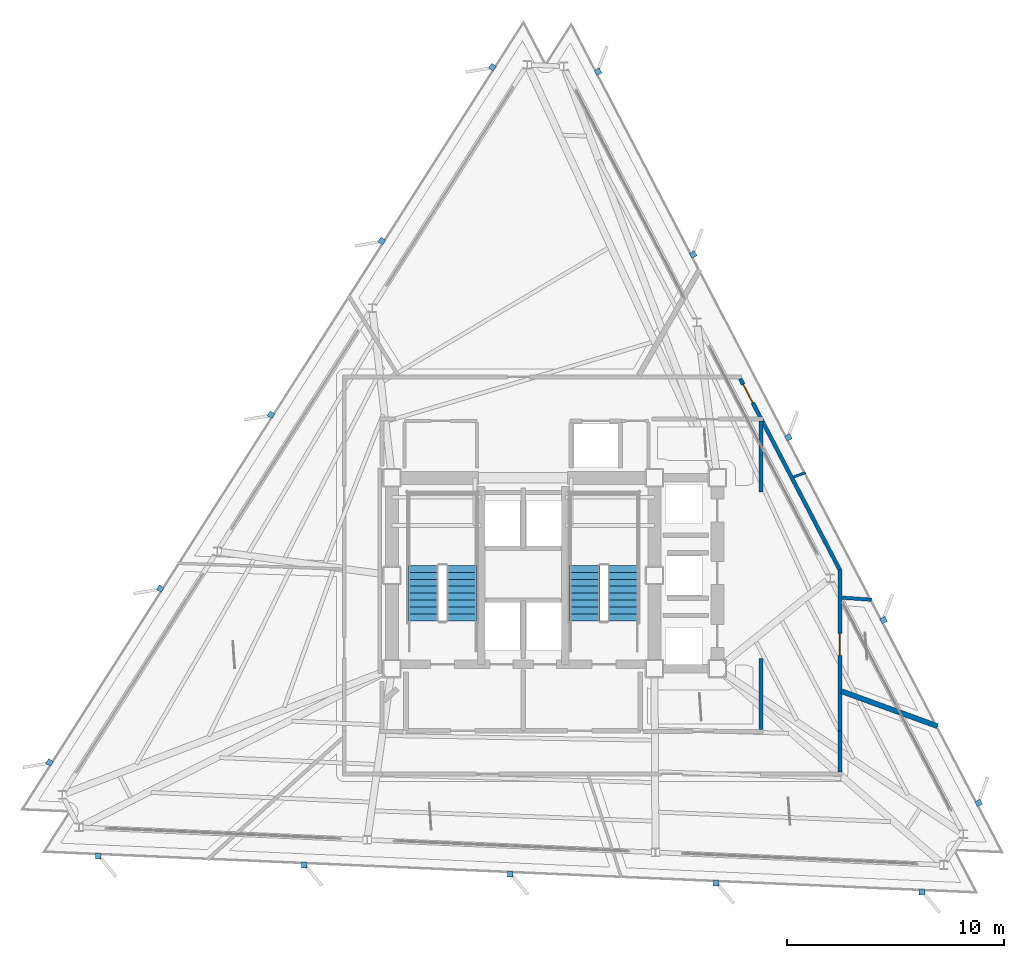
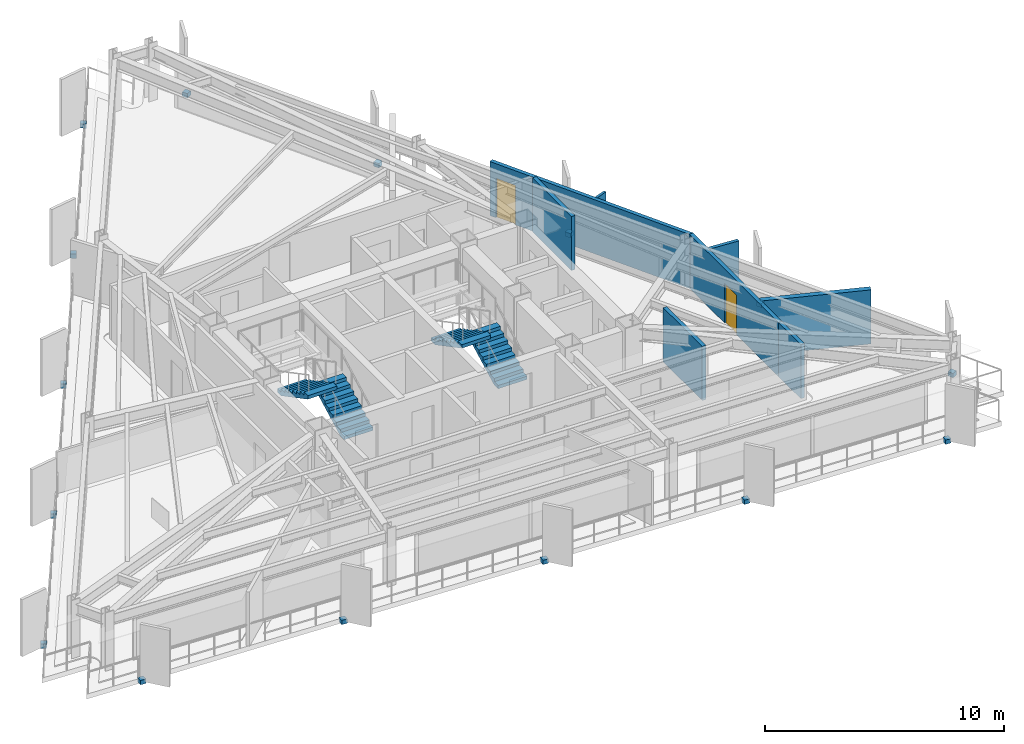
# One storey, part 9 of 12: 15 discrete accessories, 8 walls, 4 stair flights, 2 doors, 2 openings, 2 elements without a shape of their own.
"""IFC4 building model written with IfcOpenShell, lengths in metres."""

from ifc_helpers import new_model, si_unit, direction, frame, frame_2d, origin, origin_2d, place, context, subcontext, project, spatial, polyline, rectangle, outline, extrude, material, layer, layer_set, type_object, element, fill, aggregate, save


model = new_model("IFC4")

# Units and contexts
model_context = context("Model", 3, precision=1e-05, world=origin(), true_north=direction((0.0, 1.0)))
body_context = subcontext(model_context, "Body", "Model", "MODEL_VIEW")
ifc_project = project(units=[si_unit("LENGTHUNIT", "METRE"), si_unit("AREAUNIT", "SQUARE_METRE"), si_unit("VOLUMEUNIT", "CUBIC_METRE"), si_unit("PLANEANGLEUNIT", "RADIAN"), si_unit("MASSUNIT", "GRAM", prefix="KILO")], contexts=[model_context])

# Site, building, storey
site_placement = place(None, origin())
site = spatial("IfcSite", under=ifc_project, at=site_placement, CompositionType="ELEMENT")
building_placement = place(site_placement, origin())
building = spatial("IfcBuilding", under=site, at=building_placement, Name="Rocaltana Carrier Exchange", CompositionType="ELEMENT")
storey_placement = place(building_placement, frame((0.0, 0.0, 138.080078125)))
storey = spatial("IfcBuildingStorey", under=building, at=storey_placement, Name="L43", CompositionType="ELEMENT", Elevation=138.080078125)

# Wall
ifc_material_1 = material(Name="Double Acoustic Gypsum Partition", Category="gypsum")
ifc_layer_1 = layer(ifc_material_1, 0.159912109375)
ifc_layer_set_1 = layer_set([ifc_layer_1], Name="Double Acoustic Gypsum Partition")
wall_type_1 = type_object("IfcWallType", Name="Acoustic Studio Partition 160 EI60", PredefinedType="PARTITIONING", material=ifc_layer_set_1)
wall_1_placement = place(storey_placement, frame((14.679931640625, -1.026611328125, 0.0), z_axis=(0.0, 0.0, 1.0), x_axis=(0.997571691914, -0.06964710684, 0.0)))
element("IfcWall", 1, at=wall_1_placement, inside=storey, type_object=wall_type_1, Name="L43 Suite Divider Wall D5", PredefinedType="PARTITIONING", context=body_context, shape_type="SweptSolid", body=[
    extrude(rectangle(XDim=1.38818359375, YDim=0.159912109375, at=frame_2d((0.694091796875, 0.0))), origin(), (0.0, 0.0, 1.0), 2.762939453125),
])

# Wall, opening, door
ifc_material_2 = material(Name="Gypsum & Steel Stud Partition", Category="steel")
ifc_layer_2 = layer(ifc_material_2, 0.179931640625)
ifc_layer_set_2 = layer_set([ifc_layer_2], Name="Gypsum & Steel Stud Partition")
wall_type_2 = type_object("IfcWallType", Name="Corridor Fire Partition 180 EI60", PredefinedType="PARTITIONING", material=ifc_layer_set_2)
wall_2_placement = place(storey_placement, frame((10.0029296875, 9.0703125, 0.0), z_axis=(0.0, 0.0, 1.0), x_axis=(0.461740291408, -0.887015165198, 0.0)))
wall_2 = element("IfcWall", 2, at=wall_2_placement, inside=storey, type_object=wall_type_2, Name="L43 Corridor Partition 7", PredefinedType="PARTITIONING", context=body_context, shape_type="SweptSolid", body=[
    extrude(rectangle(XDim=9.975830078125, YDim=0.179931640625, at=frame_2d((4.98779296875, 0.0))), origin(), (0.0, 0.0, 1.0), 2.762939453125),
])
opening_1_placement = place(wall_2_placement, frame((0.300537109375, 0.0, 0.0)))
opening_1 = element("IfcOpeningElement", 3, at=opening_1_placement, cuts=wall_2, Name="Opening D-RM098", PredefinedType="OPENING", context=body_context, shape_type="SweptSolid", body=[
    extrude(rectangle(XDim=0.9599609375, YDim=2.02001953125, at=frame_2d((0.47998046875, 1.010009765625))), frame((0.0, 0.099853515625, 0.0), z_axis=(0.0, -1.0, 0.0), x_axis=(1.0, 0.0, 0.0)), (0.0, 0.0, 1.0), 0.199951171875),
])
ifc_material_3 = material(Name="Engineered Hardwood Timber", Category="wood")
door_type_1 = type_object("IfcDoorType", Name="Workspace Single Door 960x2020", OperationType="NOTDEFINED", PredefinedType="DOOR", material=ifc_material_3)
door_1_placement = place(opening_1_placement, origin())
door_1 = element("IfcDoor", 4, at=door_1_placement, inside=storey, type_object=door_type_1, Name="L43 Quiet Focus Lounge Entrance Door", OperationType="SINGLE_SWING_LEFT", OverallHeight=2.02001953125, OverallWidth=0.9599609375, PredefinedType="DOOR", context=body_context, shape_type="SweptSolid", body=[
    extrude(rectangle(XDim=0.9599609375, YDim=2.02001953125, at=frame_2d((0.47998046875, 1.010009765625))), frame((0.0, 0.02490234375, 0.0), z_axis=(0.0, -1.0, 0.0), x_axis=(1.0, 0.0, 0.0)), (0.0, 0.0, 1.0), 0.050048828125),
])
fill(opening_1, door_1)

wall_3_placement = place(storey_placement, frame((14.60009765625, 0.259521484375, 0.0), z_axis=(0.0, 0.0, 1.0), x_axis=(0.0, -1.0, 0.0)))
wall_3 = element("IfcWall", 5, at=wall_3_placement, inside=storey, type_object=wall_type_2, Name="L43 Corridor Partition 8", PredefinedType="PARTITIONING", context=body_context, shape_type="SweptSolid", body=[
    extrude(rectangle(XDim=7.4794921875, YDim=0.179931640625, at=frame_2d((3.73974609375, 0.0))), origin(), (0.0, 0.0, 1.0), 2.762939453125),
])
opening_2_placement = place(wall_3_placement, frame((2.93310546875, 0.0, 0.0)))
opening_2 = element("IfcOpeningElement", 6, at=opening_2_placement, cuts=wall_3, Name="Opening D-LB104", PredefinedType="OPENING", context=body_context, shape_type="SweptSolid", body=[
    extrude(rectangle(XDim=1.02001953125, YDim=2.02001953125, at=frame_2d((0.510009765625, 1.010009765625))), frame((0.0, 0.099853515625, 0.0), z_axis=(0.0, -1.0, 0.0), x_axis=(1.0, 0.0, 0.0)), (0.0, 0.0, 1.0), 0.199951171875),
])
ifc_material_4 = material(Name="Powder-Coated Aluminium 6063-T6", Category="aluminium")
door_type_2 = type_object("IfcDoorType", Name="Laboratory Acoustic Door 1020x2020", OperationType="NOTDEFINED", PredefinedType="DOOR", material=ifc_material_4)
door_2_placement = place(opening_2_placement, origin())
door_2 = element("IfcDoor", 7, at=door_2_placement, inside=storey, type_object=door_type_2, Name="L43 Protocol Calibration Laboratory Entrance Door", OperationType="SINGLE_SWING_LEFT", OverallHeight=2.02001953125, OverallWidth=1.02001953125, PredefinedType="DOOR", context=body_context, shape_type="SweptSolid", body=[
    extrude(rectangle(XDim=1.02001953125, YDim=2.02001953125, at=frame_2d((0.510009765625, 1.010009765625))), frame((0.0, 0.02490234375, 0.0), z_axis=(0.0, -1.0, 0.0), x_axis=(1.0, 0.0, 0.0)), (0.0, 0.0, 1.0), 0.050048828125),
])
fill(opening_2, door_2)

# Walls
wall_4_placement = place(storey_placement, frame((14.60009765625, -7.179931640625, 0.0), z_axis=(0.0, 0.0, 1.0), x_axis=(0.0, -1.0, 0.0)))
element("IfcWall", 8, at=wall_4_placement, inside=storey, type_object=wall_type_2, Name="L43 Corridor Partition 9", PredefinedType="PARTITIONING", context=body_context, shape_type="SweptSolid", body=[
    extrude(rectangle(XDim=1.880126953125, YDim=0.179931640625, at=frame_2d((0.93994140625, 0.0))), origin(), (0.0, 0.0, 1.0), 2.762939453125),
])
for number, where, z_axis, x_axis, name in (
    (9, (10.9599609375, -7.110107421875, 0.0), (0.0, 0.0, 1.0), (0.0, 1.0, 0.0), "L43 Corridor Partition 13"),
    (10, (10.9599609375, 3.839599609375, 0.0), (0.0, 0.0, 1.0), (0.0, 1.0, 0.0), "L43 Corridor Partition 14"),
):
    element("IfcWall", number, at=place(storey_placement, frame(where, z_axis=z_axis, x_axis=x_axis)), inside=storey, type_object=wall_type_2, Name=name, PredefinedType="PARTITIONING", context=body_context, shape_type="SweptSolid", body=[
        extrude(rectangle(XDim=3.2705078125, YDim=0.179931640625, at=frame_2d((1.63525390625, 0.0))), origin(), (0.0, 0.0, 1.0), 2.762939453125),
    ])
ifc_material_5 = material(Name="Aluminium 6063-T6 & Acoustic Glass", Category="aluminium")
ifc_layer_3 = layer(ifc_material_5, 0.114990234375)
ifc_layer_set_3 = layer_set([ifc_layer_3], Name="Aluminium 6063-T6 & Acoustic Glass")
wall_type_3 = type_object("IfcWallType", Name="Demountable Glazed Lab Partition 115", PredefinedType="MOVABLE", material=ifc_layer_set_3)
wall_5_placement = place(storey_placement, frame((12.455078125, 4.533203125, 0.0), z_axis=(0.0, 0.0, 1.0), x_axis=(0.93962558955, 0.342204254011, 0.0)))
element("IfcWall", 11, at=wall_5_placement, inside=storey, type_object=wall_type_3, Name="L43 Suite Divider Wall D6", PredefinedType="MOVABLE", context=body_context, shape_type="SweptSolid", body=[
    extrude(rectangle(XDim=0.594970703125, YDim=0.114990234375, at=frame_2d((0.29736328125, 0.0))), origin(), (0.0, 0.0, 1.0), 2.762939453125),
])
ifc_material_6 = material(Name="Acoustic Calcium Silicate Partition", Category="gypsum")
ifc_layer_4 = layer(ifc_material_6, 0.239990234375)
ifc_layer_set_4 = layer_set([ifc_layer_4], Name="Acoustic Calcium Silicate Partition")
wall_type_4 = type_object("IfcWallType", Name="Heavy Lab Partition 240 EI90", PredefinedType="PARTITIONING", material=ifc_layer_set_4)
wall_6_placement = place(storey_placement, frame((14.679931640625, -5.343017578125, 0.0), z_axis=(0.0, 0.0, 1.0), x_axis=(0.939684231706, -0.342043191253, 0.0)))
element("IfcWall", 12, at=wall_6_placement, inside=storey, type_object=wall_type_4, Name="L43 Suite Divider Wall D4", PredefinedType="PARTITIONING", context=body_context, shape_type="SweptSolid", body=[
    extrude(rectangle(XDim=4.702392578125, YDim=0.239990234375, at=frame_2d((2.35107421875, 0.0))), origin(), (0.0, 0.0, 1.0), 2.762939453125),
])

# Stair, stair flights
ifc_material_7 = material(Name="Precast concrete C45/55", Category="concrete")
stair_type = type_object("IfcStairType", Name="Standard Dog-Leg Stair 160", PredefinedType="HALF_TURN_STAIR", material=ifc_material_7)
stair_1_placement = place(storey_placement, origin())
stair_1 = element("IfcStair", 13, at=stair_1_placement, inside=storey, type_object=stair_type, Name="L43 Core West Exit Stair ST-1", PredefinedType="HALF_TURN_STAIR")
ifc_material_8 = material(Name="Precast concrete C45/55", Category="concrete")
stair_flight_type = type_object("IfcStairFlightType", Name="Precast Stair Flight 160", PredefinedType="STRAIGHT", material=ifc_material_8)
stair_flight_1_placement = place(storey_placement, frame((-2.840087890625, -2.10009765625, 0.0), z_axis=(0.0, 0.0, 1.0), x_axis=(0.0, 1.0, 0.0)))
stair_flight_1 = element("IfcStairFlight", 14, at=stair_flight_1_placement, type_object=stair_flight_type, Name="ST-1 flight 1", NumberOfRisers=9, NumberOfTreads=8, PredefinedType="STRAIGHT", RiserHeight=0.168888889, TreadLength=0.32, context=body_context, shape_type="SweptSolid", body=[
    extrude(outline(polyline([(0.0, 0.0), (0.0, 0.1689453125), (0.320068359375, 0.1689453125), (0.320068359375, 0.337890625), (0.639892578125, 0.337890625), (0.639892578125, 0.506591796875), (0.9599609375, 0.506591796875), (0.9599609375, 0.675537109375), (1.280029296875, 0.675537109375), (1.280029296875, 0.844482421875), (1.60009765625, 0.844482421875), (1.60009765625, 1.013427734375), (1.919921875, 1.013427734375), (1.919921875, 1.18212890625), (2.239990234375, 1.18212890625), (2.239990234375, 1.35107421875), (2.56005859375, 1.35107421875), (2.56005859375, 1.52001953125), (2.56005859375, 1.17041015625), (0.342529296875, 0.0), (0.0, 0.0)])), frame((0.0, 0.699951171875, 0.0), z_axis=(0.0, -1.0, 0.0), x_axis=(1.0, 0.0, 0.0)), (0.0, 0.0, 1.0), 1.39990234375),
])
stair_flight_2_placement = place(storey_placement, frame((-4.60009765625, 0.4599609375, 1.52001953125), z_axis=(0.0, 0.0, 1.0), x_axis=(0.0, -1.0, 0.0)))
stair_flight_2 = element("IfcStairFlight", 15, at=stair_flight_2_placement, type_object=stair_flight_type, Name="ST-1 flight 2", NumberOfRisers=9, NumberOfTreads=8, PredefinedType="STRAIGHT", RiserHeight=0.168888889, TreadLength=0.32, context=body_context, shape_type="SweptSolid", body=[
    extrude(outline(polyline([(0.0, 0.0), (0.0, 0.1689453125), (0.320068359375, 0.1689453125), (0.320068359375, 0.337890625), (0.639892578125, 0.337890625), (0.639892578125, 0.506591796875), (0.9599609375, 0.506591796875), (0.9599609375, 0.675537109375), (1.280029296875, 0.675537109375), (1.280029296875, 0.844482421875), (1.60009765625, 0.844482421875), (1.60009765625, 1.013427734375), (1.919921875, 1.013427734375), (1.919921875, 1.18212890625), (2.239990234375, 1.18212890625), (2.239990234375, 1.35107421875), (2.56005859375, 1.35107421875), (2.56005859375, 1.52001953125), (2.56005859375, 1.17041015625), (0.342529296875, 0.0), (0.0, 0.0)])), frame((0.0, 0.699951171875, 0.0), z_axis=(0.0, -1.0, 0.0), x_axis=(1.0, 0.0, 0.0)), (0.0, 0.0, 1.0), 1.39990234375),
])
aggregate(stair_1, [stair_flight_1, stair_flight_2])

stair_2_placement = place(storey_placement, origin())
stair_2 = element("IfcStair", 16, at=stair_2_placement, inside=storey, type_object=stair_type, Name="L43 Core East Exit Stair ST-2", PredefinedType="HALF_TURN_STAIR")
stair_flight_3_placement = place(storey_placement, frame((4.60009765625, -2.10009765625, 0.0), z_axis=(0.0, 0.0, 1.0), x_axis=(0.0, 1.0, 0.0)))
stair_flight_3 = element("IfcStairFlight", 17, at=stair_flight_3_placement, type_object=stair_flight_type, Name="ST-2 flight 1", NumberOfRisers=9, NumberOfTreads=8, PredefinedType="STRAIGHT", RiserHeight=0.168888889, TreadLength=0.32, context=body_context, shape_type="SweptSolid", body=[
    extrude(outline(polyline([(0.0, 0.0), (0.0, 0.1689453125), (0.320068359375, 0.1689453125), (0.320068359375, 0.337890625), (0.639892578125, 0.337890625), (0.639892578125, 0.506591796875), (0.9599609375, 0.506591796875), (0.9599609375, 0.675537109375), (1.280029296875, 0.675537109375), (1.280029296875, 0.844482421875), (1.60009765625, 0.844482421875), (1.60009765625, 1.013427734375), (1.919921875, 1.013427734375), (1.919921875, 1.18212890625), (2.239990234375, 1.18212890625), (2.239990234375, 1.35107421875), (2.56005859375, 1.35107421875), (2.56005859375, 1.52001953125), (2.56005859375, 1.17041015625), (0.342529296875, 0.0), (0.0, 0.0)])), frame((0.0, 0.699951171875, 0.0), z_axis=(0.0, -1.0, 0.0), x_axis=(1.0, 0.0, 0.0)), (0.0, 0.0, 1.0), 1.39990234375),
])
stair_flight_4_placement = place(storey_placement, frame((2.840087890625, 0.4599609375, 1.52001953125), z_axis=(0.0, 0.0, 1.0), x_axis=(0.0, -1.0, 0.0)))
stair_flight_4 = element("IfcStairFlight", 18, at=stair_flight_4_placement, type_object=stair_flight_type, Name="ST-2 flight 2", NumberOfRisers=9, NumberOfTreads=8, PredefinedType="STRAIGHT", RiserHeight=0.168888889, TreadLength=0.32, context=body_context, shape_type="SweptSolid", body=[
    extrude(outline(polyline([(0.0, 0.0), (0.0, 0.1689453125), (0.320068359375, 0.1689453125), (0.320068359375, 0.337890625), (0.639892578125, 0.337890625), (0.639892578125, 0.506591796875), (0.9599609375, 0.506591796875), (0.9599609375, 0.675537109375), (1.280029296875, 0.675537109375), (1.280029296875, 0.844482421875), (1.60009765625, 0.844482421875), (1.60009765625, 1.013427734375), (1.919921875, 1.013427734375), (1.919921875, 1.18212890625), (2.239990234375, 1.18212890625), (2.239990234375, 1.35107421875), (2.56005859375, 1.35107421875), (2.56005859375, 1.52001953125), (2.56005859375, 1.17041015625), (0.342529296875, 0.0), (0.0, 0.0)])), frame((0.0, 0.699951171875, 0.0), z_axis=(0.0, -1.0, 0.0), x_axis=(1.0, 0.0, 0.0)), (0.0, 0.0, 1.0), 1.39990234375),
])
aggregate(stair_2, [stair_flight_3, stair_flight_4])

# Discrete accessories
ifc_material_9 = material(Name="Brushed Architectural Stainless Metal", Category="steel")
ifc_layer_5 = layer(ifc_material_9, 0.219970703125)
ifc_layer_set_5 = layer_set([ifc_layer_5], Name="Brushed Architectural Stainless Metal")
discrete_accessory_type = type_object("IfcDiscreteAccessoryType", Name="Stainless Fin Slab-Edge Bracket 260x260x220", PredefinedType="BRACKET", material=ifc_layer_set_5)
for number, where, z_axis, x_axis, name in (
    (19, (20.9970703125, -10.489990234375, -0.2099609375), (0.0, 0.0, 1.0), (-0.461748613235, 0.887010833178, 0.0), "L43 Sandstone Fin Edge Bracket F1-01"),
    (20, (16.610595703125, -2.063232421875, -0.2099609375), (0.0, 0.0, 1.0), (-0.461748613235, 0.887010833178, 0.0), "L43 Sandstone Fin Edge Bracket F1-02"),
    (21, (12.223876953125, 6.36328125, -0.2099609375), (0.0, 0.0, 1.0), (-0.461748613235, 0.887010833178, 0.0), "L43 Sandstone Fin Edge Bracket F1-03"),
    (22, (7.837158203125, 14.789794921875, -0.2099609375), (0.0, 0.0, 1.0), (-0.461748613235, 0.887010833178, 0.0), "L43 Sandstone Fin Edge Bracket F1-04"),
    (23, (3.45068359375, 23.216552734375, -0.2099609375), (0.0, 0.0, 1.0), (-0.461748613235, 0.887010833178, 0.0), "L43 Sandstone Fin Edge Bracket F1-05"),
    (24, (-1.4140625, 23.428955078125, -0.2099609375), (0.0, 0.0, 1.0), (-0.537299608347, -0.843391445813, 0.0), "L43 Sandstone Fin Edge Bracket F2-01"),
    (25, (-6.518310546875, 15.416748046875, -0.2099609375), (0.0, 0.0, 1.0), (-0.537299608347, -0.843391445813, 0.0), "L43 Sandstone Fin Edge Bracket F2-02"),
    (26, (-11.622802734375, 7.404541015625, -0.2099609375), (0.0, 0.0, 1.0), (-0.537299608347, -0.843391445813, 0.0), "L43 Sandstone Fin Edge Bracket F2-03"),
    (27, (-16.72705078125, -0.607666015625, -0.2099609375), (0.0, 0.0, 1.0), (-0.537299608347, -0.843391445813, 0.0), "L43 Sandstone Fin Edge Bracket F2-04"),
    (28, (-21.831298828125, -8.619873046875, -0.2099609375), (0.0, 0.0, 1.0), (-0.537299608347, -0.843391445813, 0.0), "L43 Sandstone Fin Edge Bracket F2-05"),
    (29, (-19.5830078125, -12.939208984375, -0.2099609375), (0.0, 0.0, 1.0), (0.999048221582, -0.043619387365, 0.0), "L43 Sandstone Fin Edge Bracket F3-01"),
    (30, (-10.092041015625, -13.353515625, -0.2099609375), (0.0, 0.0, 1.0), (0.999048221582, -0.043619387365, 0.0), "L43 Sandstone Fin Edge Bracket F3-02"),
    (31, (-0.60107421875, -13.767822265625, -0.2099609375), (0.0, 0.0, 1.0), (0.999048221582, -0.043619387365, 0.0), "L43 Sandstone Fin Edge Bracket F3-03"),
    (32, (8.889892578125, -14.18212890625, -0.2099609375), (0.0, 0.0, 1.0), (0.999048221582, -0.043619387365, 0.0), "L43 Sandstone Fin Edge Bracket F3-04"),
    (33, (18.380859375, -14.5966796875, -0.2099609375), (0.0, 0.0, 1.0), (0.999048221582, -0.043619387365, 0.0), "L43 Sandstone Fin Edge Bracket F3-05"),
):
    element("IfcDiscreteAccessory", number, at=place(storey_placement, frame(where, z_axis=z_axis, x_axis=x_axis)), inside=storey, type_object=discrete_accessory_type, Name=name, PredefinedType="BRACKET", context=body_context, shape_type="SweptSolid", body=[
        extrude(rectangle(XDim=0.260009765625, YDim=0.260009765625, at=origin_2d()), origin(), (0.0, 0.0, 1.0), 0.219970703125),
    ])

save(model, "model.ifc")
